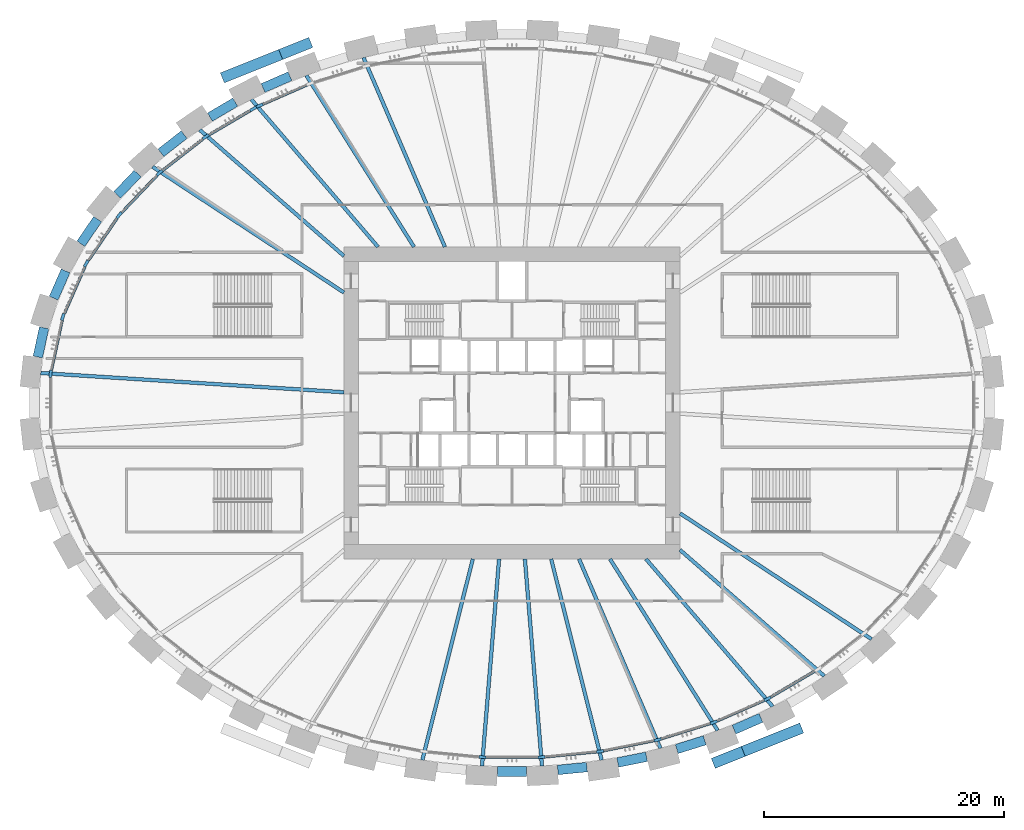
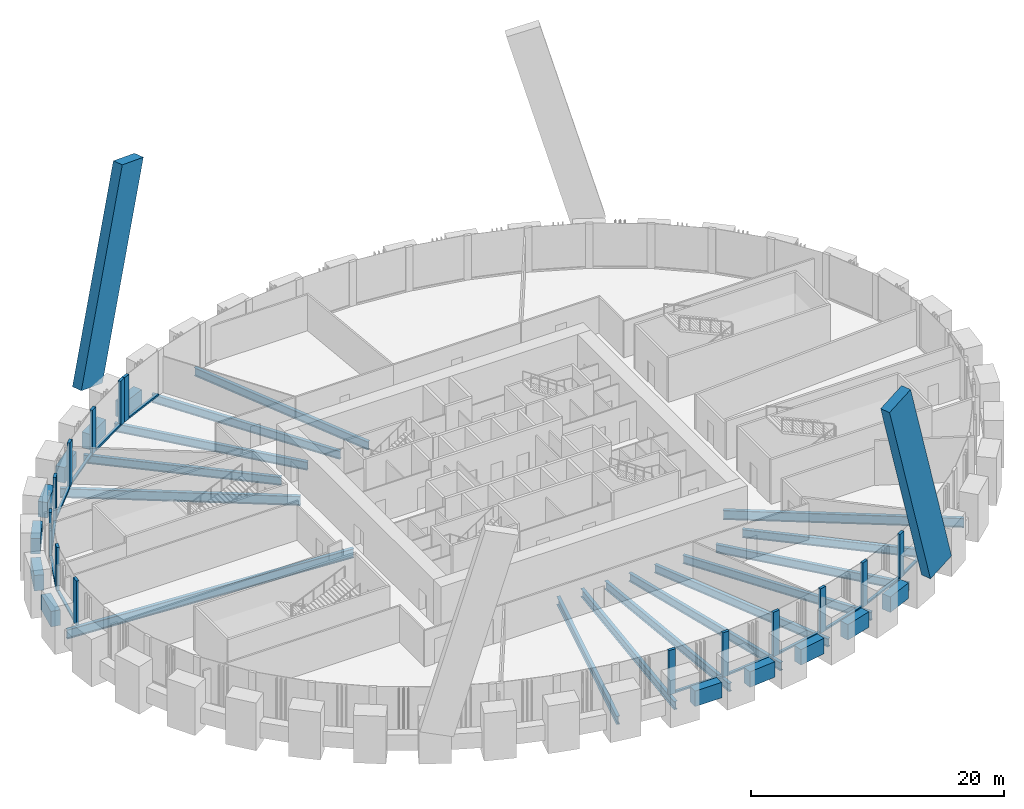
# One storey, part 2 of 21: 29 members, 27 beams, 3 elements without a shape of their own.
"""IFC4 building model written with IfcOpenShell, lengths in metres."""

from ifc_helpers import new_model, si_unit, direction, frame, origin, origin_2d, place, context, subcontext, project, spatial, rectangle, i_section, extrude, source, transform, mapped, material, material_profile, profile_set, type_object, element, aggregate, save


model = new_model("IFC4")

# Units and contexts
model_context = context("Model", 3, precision=1e-05, world=origin(), true_north=direction((0.0, 1.0)))
body_context = subcontext(model_context, "Body", "Model", "MODEL_VIEW")
ifc_project = project(units=[si_unit("LENGTHUNIT", "METRE"), si_unit("AREAUNIT", "SQUARE_METRE"), si_unit("VOLUMEUNIT", "CUBIC_METRE"), si_unit("PLANEANGLEUNIT", "RADIAN"), si_unit("MASSUNIT", "GRAM", prefix="KILO")], contexts=[model_context])

# Site, building, storey
site_placement = place(None, origin())
site = spatial("IfcSite", under=ifc_project, at=site_placement, CompositionType="ELEMENT")
building_placement = place(site_placement, origin())
building = spatial("IfcBuilding", under=site, at=building_placement, Name="Embergate Tower", CompositionType="ELEMENT")
storey_placement = place(building_placement, frame((0.0, 0.0, 33.5)))
storey = spatial("IfcBuildingStorey", under=building, at=storey_placement, Name="L04", CompositionType="ELEMENT", Elevation=33.5)

# Beams
ifc_material_1 = material(Name="Concrete C70", Category="concrete")
ifc_material_profile_1 = material_profile(ifc_material_1, rectangle(XDim=0.800048828125, YDim=1.5, at=origin_2d()), Name="RC 800x1500")
ifc_profile_set_1 = profile_set([ifc_material_profile_1], Name="Concrete C70")
beam_type_1 = type_object("IfcBeamType", Name="Spandrel beam RC 800x1500 C70", PredefinedType="BEAM", material=ifc_profile_set_1)
shared_shape_1 = source(origin(), body_context, "Body", "SweptSolid", [
    extrude(rectangle(XDim=0.800048828125, YDim=1.5, at=origin_2d()), origin(), (0.0, 0.0, 1.0), 2.4833984375),
])
beam_1_placement = place(storey_placement, frame((-38.98193359375, 6.2548828125, 0.0), z_axis=(-0.210180265882, -0.977662649299, 0.0), x_axis=(0.977662649299, -0.210180265882, 0.0)))
element("IfcBeam", 1, at=beam_1_placement, inside=storey, type_object=beam_type_1, Name="SPN-L04-20", PredefinedType="BEAM", context=body_context, shape_type="MappedRepresentation", body=[
    mapped(shared_shape_1, transform((0.0, 0.0, 0.0))),
])
shared_shape_2 = source(origin(), body_context, "Body", "SweptSolid", [
    extrude(rectangle(XDim=0.800048828125, YDim=1.5, at=origin_2d()), origin(), (0.0, 0.0, 1.0), 2.478515625),
])
beam_2_placement = place(storey_placement, frame((-37.18701171875, 10.9990234375, 0.0), z_axis=(-0.40140784331, -0.915899417692, 0.0), x_axis=(0.915899417692, -0.40140784331, 0.0)))
element("IfcBeam", 2, at=beam_2_placement, inside=storey, type_object=beam_type_1, Name="SPN-L04-19", PredefinedType="BEAM", context=body_context, shape_type="MappedRepresentation", body=[
    mapped(shared_shape_2, transform((0.0, 0.0, 0.0))),
])
shared_shape_3 = source(origin(), body_context, "Body", "SweptSolid", [
    extrude(rectangle(XDim=0.800048828125, YDim=1.5, at=origin_2d()), origin(), (0.0, 0.0, 1.0), 2.46875),
])
beam_3_placement = place(storey_placement, frame((-34.52197265625, 15.304931640625, 0.0), z_axis=(-0.562594003895, -0.826733322651, 0.0), x_axis=(0.826733322651, -0.562594003895, 0.0)))
element("IfcBeam", 3, at=beam_3_placement, inside=storey, type_object=beam_type_1, Name="SPN-L04-18", PredefinedType="BEAM", context=body_context, shape_type="MappedRepresentation", body=[
    mapped(shared_shape_3, transform((0.0, 0.0, 0.0))),
])
shared_shape_4 = source(origin(), body_context, "Body", "SweptSolid", [
    extrude(rectangle(XDim=0.800048828125, YDim=1.5, at=origin_2d()), origin(), (0.0, 0.0, 1.0), 2.462890625),
])
beam_4_placement = place(storey_placement, frame((-31.18896484375, 19.110107421875, 0.0), z_axis=(-0.689801191863, -0.723998836811, 0.0), x_axis=(0.723998836811, -0.689801191863, 0.0)))
element("IfcBeam", 4, at=beam_4_placement, inside=storey, type_object=beam_type_1, Name="SPN-L04-17", PredefinedType="BEAM", context=body_context, shape_type="MappedRepresentation", body=[
    mapped(shared_shape_4, transform((0.0, 0.0, 0.0))),
])
shared_shape_5 = source(origin(), body_context, "Body", "SweptSolid", [
    extrude(rectangle(XDim=0.800048828125, YDim=1.5, at=origin_2d()), origin(), (0.0, 0.0, 1.0), 2.45361328125),
])
beam_5_placement = place(storey_placement, frame((-27.31396484375, 22.35009765625, 0.0), z_axis=(-0.788220432828, -0.615393003919, 0.0), x_axis=(0.615393003919, -0.788220432828, 0.0)))
element("IfcBeam", 5, at=beam_5_placement, inside=storey, type_object=beam_type_1, Name="SPN-L04-16", PredefinedType="BEAM", context=body_context, shape_type="MappedRepresentation", body=[
    mapped(shared_shape_5, transform((0.0, 0.0, 0.0))),
])
shared_shape_6 = source(origin(), body_context, "Body", "SweptSolid", [
    extrude(rectangle(XDim=0.800048828125, YDim=1.5, at=origin_2d()), origin(), (0.0, 0.0, 1.0), 2.44873046875),
])
beam_6_placement = place(storey_placement, frame((-23.052978515625, 25.052978515625, 0.0), z_axis=(-0.862085389166, -0.506763043036, 0.0), x_axis=(0.506763043036, -0.862085389166, 0.0)))
element("IfcBeam", 6, at=beam_6_placement, inside=storey, type_object=beam_type_1, Name="SPN-L04-15", PredefinedType="BEAM", context=body_context, shape_type="MappedRepresentation", body=[
    mapped(shared_shape_6, transform((0.0, 0.0, 0.0))),
])
shared_shape_7 = source(origin(), body_context, "Body", "SweptSolid", [
    extrude(rectangle(XDim=0.800048828125, YDim=1.5, at=origin_2d()), origin(), (0.0, 0.0, 1.0), 2.445068359375),
])
for number, where, z_axis, x_axis, name in (
    (7, (-18.4970703125, 27.215087890625, 0.0), (-0.916159626616, -0.400813595775, 0.0), (0.400813595775, -0.916159626616, 0.0), "SPN-L04-14"),
    (8, (18.4970703125, -27.215087890625, 0.0), (0.916159626616, 0.400813595775, 0.0), (-0.400813595775, 0.916159626616, 0.0), "SPN-L04-36"),
):
    element("IfcBeam", number, at=place(storey_placement, frame(where, z_axis=z_axis, x_axis=x_axis)), inside=storey, type_object=beam_type_1, Name=name, PredefinedType="BEAM", context=body_context, shape_type="MappedRepresentation", body=[
        mapped(shared_shape_7, transform((0.0, 0.0, 0.0))),
    ])
shared_shape_8 = source(origin(), body_context, "Body", "SweptSolid", [
    extrude(rectangle(XDim=0.800048828125, YDim=1.5, at=origin_2d()), origin(), (0.0, 0.0, 1.0), 2.441162109375),
])
beam_7_placement = place(storey_placement, frame((13.722900390625, -28.830078125, 0.0), z_axis=(0.954870643943, 0.297021974499, 0.0), x_axis=(-0.297021974499, 0.954870643943, 0.0)))
element("IfcBeam", 9, at=beam_7_placement, inside=storey, type_object=beam_type_1, Name="SPN-L04-35", PredefinedType="BEAM", context=body_context, shape_type="MappedRepresentation", body=[
    mapped(shared_shape_8, transform((0.0, 0.0, 0.0))),
])
shared_shape_9 = source(origin(), body_context, "Body", "SweptSolid", [
    extrude(rectangle(XDim=0.800048828125, YDim=1.5, at=origin_2d()), origin(), (0.0, 0.0, 1.0), 2.438720703125),
])
beam_8_placement = place(storey_placement, frame((8.81298828125, -29.952880859375, 0.0), z_axis=(0.980441821955, 0.19680913028, 0.0), x_axis=(-0.19680913028, 0.980441821955, 0.0)))
element("IfcBeam", 10, at=beam_8_placement, inside=storey, type_object=beam_type_1, Name="SPN-L04-34", PredefinedType="BEAM", context=body_context, shape_type="MappedRepresentation", body=[
    mapped(shared_shape_9, transform((0.0, 0.0, 0.0))),
])
shared_shape_10 = source(origin(), body_context, "Body", "SweptSolid", [
    extrude(rectangle(XDim=0.800048828125, YDim=1.5, at=origin_2d()), origin(), (0.0, 0.0, 1.0), 2.437744140625),
])
beam_9_placement = place(storey_placement, frame((3.81591796875, -30.574951171875, 0.0), z_axis=(0.995181884191, 0.098045996239, 0.0), x_axis=(-0.098045996239, 0.995181884191, 0.0)))
element("IfcBeam", 11, at=beam_9_placement, inside=storey, type_object=beam_type_1, Name="SPN-L04-33", PredefinedType="BEAM", context=body_context, shape_type="MappedRepresentation", body=[
    mapped(shared_shape_10, transform((0.0, 0.0, 0.0))),
])
shared_shape_11 = source(origin(), body_context, "Body", "SweptSolid", [
    extrude(rectangle(XDim=0.800048828125, YDim=1.5, at=origin_2d()), origin(), (0.0, 0.0, 1.0), 2.43798828125),
])
beam_10_placement = place(storey_placement, frame((-1.218994140625, -30.701904296875, 0.0), z_axis=(1.0, 0.0, 0.0), x_axis=(0.0, 1.0, 0.0)))
element("IfcBeam", 12, at=beam_10_placement, inside=storey, type_object=beam_type_1, Name="SPN-L04-32", PredefinedType="BEAM", context=body_context, shape_type="MappedRepresentation", body=[
    mapped(shared_shape_11, transform((0.0, 0.0, 0.0))),
])
ifc_material_2 = material(Name="Steel Q355B", Category="steel")
ifc_material_profile_2 = material_profile(ifc_material_2, i_section(OverallWidth=0.300048828125, OverallDepth=0.89990234375, WebThickness=0.01611328125, FlangeThickness=0.028076171875, FilletRadius=0.028076171875, at=origin_2d()), Name="HN 900x300x16x28")
ifc_profile_set_2 = profile_set([ifc_material_profile_2], Name="Steel Q355 grade B")
beam_type_2 = type_object("IfcBeamType", Name="Radial girder HN 900x300x16x28", PredefinedType="BEAM", material=ifc_profile_set_2)
shared_shape_12 = source(origin(), body_context, "Body", "SweptSolid", [
    extrude(i_section(OverallWidth=0.300048828125, OverallDepth=0.89990234375, WebThickness=0.01611328125, FlangeThickness=0.028076171875, FilletRadius=0.028076171875, at=origin_2d()), origin(), (0.0, 0.0, 1.0), 25.31103515625),
])
beam_11_placement = place(storey_placement, frame((-39.260009765625, 2.493896484375, -0.75), z_axis=(0.997987527614, -0.063410525362, 0.0), x_axis=(0.063410525362, 0.997987527614, 0.0)))
element("IfcBeam", 13, at=beam_11_placement, inside=storey, type_object=beam_type_2, Name="GIR-L04-21", PredefinedType="BEAM", context=body_context, shape_type="MappedRepresentation", body=[
    mapped(shared_shape_12, transform((0.0, 0.0, 0.0))),
])
shared_shape_13 = source(origin(), body_context, "Body", "SweptSolid", [
    extrude(i_section(OverallWidth=0.300048828125, OverallDepth=0.89990234375, WebThickness=0.01611328125, FlangeThickness=0.028076171875, FilletRadius=0.028076171875, at=origin_2d()), origin(), (0.0, 0.0, 1.0), 19.08984375),
])
for number, where, z_axis, x_axis, name in (
    (14, (-29.9541015625, 19.680908203125, -0.75), (0.835734658409, -0.54913348171, 0.0), (0.54913348171, 0.835734658409, 0.0), "GIR-L04-17"),
    (15, (29.9541015625, -19.680908203125, -0.75), (-0.835734658409, 0.54913348171, 0.0), (-0.54913348171, -0.835734658409, 0.0), "GIR-L04-39"),
):
    element("IfcBeam", number, at=place(storey_placement, frame(where, z_axis=z_axis, x_axis=x_axis)), inside=storey, type_object=beam_type_2, Name=name, PredefinedType="BEAM", context=body_context, shape_type="MappedRepresentation", body=[
        mapped(shared_shape_13, transform((0.0, 0.0, 0.0))),
    ])
ifc_material_profile_3 = material_profile(ifc_material_2, i_section(OverallWidth=0.300048828125, OverallDepth=0.800048828125, WebThickness=0.013916015625, FlangeThickness=0.02587890625, FilletRadius=0.028076171875, at=origin_2d()), Name="HN 800x300x14x26")
ifc_profile_set_3 = profile_set([ifc_material_profile_3], Name="Steel Q355 grade B")
beam_type_3 = type_object("IfcBeamType", Name="Radial girder HN 800x300x14x26", PredefinedType="BEAM", material=ifc_profile_set_3)
shared_shape_14 = source(origin(), body_context, "Body", "SweptSolid", [
    extrude(i_section(OverallWidth=0.300048828125, OverallDepth=0.800048828125, WebThickness=0.013916015625, FlangeThickness=0.02587890625, FilletRadius=0.028076171875, at=origin_2d()), origin(), (0.0, 0.0, 1.0), 15.96484375),
])
for number, where, z_axis, x_axis, name in (
    (16, (-26.01806640625, 22.7529296875, -0.699951171875), (0.752786961576, -0.65826422543, 0.0), (0.65826422543, 0.752786961576, 0.0), "GIR-L04-16"),
    (17, (26.01806640625, -22.7529296875, -0.699951171875), (-0.752786961576, 0.65826422543, 0.0), (-0.65826422543, -0.752786961576, 0.0), "GIR-L04-38"),
):
    element("IfcBeam", number, at=place(storey_placement, frame(where, z_axis=z_axis, x_axis=x_axis)), inside=storey, type_object=beam_type_3, Name=name, PredefinedType="BEAM", context=body_context, shape_type="MappedRepresentation", body=[
        mapped(shared_shape_14, transform((0.0, 0.0, 0.0))),
    ])
shared_shape_15 = source(origin(), body_context, "Body", "SweptSolid", [
    extrude(i_section(OverallWidth=0.300048828125, OverallDepth=0.800048828125, WebThickness=0.013916015625, FlangeThickness=0.02587890625, FilletRadius=0.028076171875, at=origin_2d()), origin(), (0.0, 0.0, 1.0), 16.193115234375),
])
for number, where, z_axis, x_axis, name in (
    (18, (-21.712890625, 25.284912109375, -0.699951171875), (0.651498813606, -0.758649652916, 0.0), (0.758649652916, 0.651498813606, 0.0), "GIR-L04-15"),
    (19, (21.712890625, -25.284912109375, -0.699951171875), (-0.651498813606, 0.758649652916, 0.0), (-0.758649652916, -0.651498813606, 0.0), "GIR-L04-37"),
):
    element("IfcBeam", number, at=place(storey_placement, frame(where, z_axis=z_axis, x_axis=x_axis)), inside=storey, type_object=beam_type_3, Name=name, PredefinedType="BEAM", context=body_context, shape_type="MappedRepresentation", body=[
        mapped(shared_shape_15, transform((0.0, 0.0, 0.0))),
    ])
shared_shape_16 = source(origin(), body_context, "Body", "SweptSolid", [
    extrude(i_section(OverallWidth=0.300048828125, OverallDepth=0.800048828125, WebThickness=0.013916015625, FlangeThickness=0.02587890625, FilletRadius=0.028076171875, at=origin_2d()), origin(), (0.0, 0.0, 1.0), 16.86962890625),
])
for number, where, z_axis, x_axis, name in (
    (20, (-17.135986328125, 27.285888671875, -0.699951171875), (0.531841030779, -0.846844211163, 0.0), (0.846844211163, 0.531841030779, 0.0), "GIR-L04-14"),
    (21, (17.135986328125, -27.285888671875, -0.699951171875), (-0.531841030779, 0.846844211163, 0.0), (-0.846844211163, -0.531841030779, 0.0), "GIR-L04-36"),
):
    element("IfcBeam", number, at=place(storey_placement, frame(where, z_axis=z_axis, x_axis=x_axis)), inside=storey, type_object=beam_type_3, Name=name, PredefinedType="BEAM", context=body_context, shape_type="MappedRepresentation", body=[
        mapped(shared_shape_16, transform((0.0, 0.0, 0.0))),
    ])
shared_shape_17 = source(origin(), body_context, "Body", "SweptSolid", [
    extrude(i_section(OverallWidth=0.300048828125, OverallDepth=0.800048828125, WebThickness=0.013916015625, FlangeThickness=0.02587890625, FilletRadius=0.028076171875, at=origin_2d()), origin(), (0.0, 0.0, 1.0), 17.166259765625),
])
for number, where, z_axis, x_axis, name in (
    (22, (-12.366943359375, 28.77099609375, -0.699951171875), (0.394906038648, -0.918721514192, 0.0), (0.918721514192, 0.394906038648, 0.0), "GIR-L04-13"),
    (23, (12.366943359375, -28.77099609375, -0.699951171875), (-0.394906038648, 0.918721514192, 0.0), (-0.918721514192, -0.394906038648, 0.0), "GIR-L04-35"),
):
    element("IfcBeam", number, at=place(storey_placement, frame(where, z_axis=z_axis, x_axis=x_axis)), inside=storey, type_object=beam_type_3, Name=name, PredefinedType="BEAM", context=body_context, shape_type="MappedRepresentation", body=[
        mapped(shared_shape_17, transform((0.0, 0.0, 0.0))),
    ])
shared_shape_18 = source(origin(), body_context, "Body", "SweptSolid", [
    extrude(i_section(OverallWidth=0.300048828125, OverallDepth=0.800048828125, WebThickness=0.013916015625, FlangeThickness=0.02587890625, FilletRadius=0.028076171875, at=origin_2d()), origin(), (0.0, 0.0, 1.0), 17.273681640625),
])
for number, where, z_axis, x_axis, name in (
    (24, (-7.468994140625, -29.75390625, -0.699951171875), (0.243440080988, 0.969915938094, 0.0), (-0.969915938094, 0.243440080988, 0.0), "GIR-L04-31"),
    (25, (7.468994140625, -29.75390625, -0.699951171875), (-0.243440080988, 0.969915938094, 0.0), (-0.969915938094, -0.243440080988, 0.0), "GIR-L04-34"),
):
    element("IfcBeam", number, at=place(storey_placement, frame(where, z_axis=z_axis, x_axis=x_axis)), inside=storey, type_object=beam_type_3, Name=name, PredefinedType="BEAM", context=body_context, shape_type="MappedRepresentation", body=[
        mapped(shared_shape_18, transform((0.0, 0.0, 0.0))),
    ])
shared_shape_19 = source(origin(), body_context, "Body", "SweptSolid", [
    extrude(i_section(OverallWidth=0.300048828125, OverallDepth=0.800048828125, WebThickness=0.013916015625, FlangeThickness=0.02587890625, FilletRadius=0.028076171875, at=origin_2d()), origin(), (0.0, 0.0, 1.0), 17.300537109375),
])
for number, where, z_axis, x_axis, name in (
    (26, (-2.498046875, -30.241943359375, -0.699951171875), (0.082313209185, 0.996606509909, 0.0), (-0.996606509909, 0.082313209185, 0.0), "GIR-L04-32"),
    (27, (2.498046875, -30.241943359375, -0.699951171875), (-0.082313209185, 0.996606509909, 0.0), (-0.996606509909, -0.082313209185, 0.0), "GIR-L04-33"),
):
    element("IfcBeam", number, at=place(storey_placement, frame(where, z_axis=z_axis, x_axis=x_axis)), inside=storey, type_object=beam_type_3, Name=name, PredefinedType="BEAM", context=body_context, shape_type="MappedRepresentation", body=[
        mapped(shared_shape_19, transform((0.0, 0.0, 0.0))),
    ])

# Members
ifc_material_profile_4 = material_profile(ifc_material_1, rectangle(XDim=0.89990234375, YDim=2.800048828125, at=origin_2d()), Name="RC 900x2800")
ifc_profile_set_4 = profile_set([ifc_material_profile_4], Name="Concrete C70")
member_type_1 = type_object("IfcMemberType", Name="Lattice diagonal terracotta-faced RC 900x2800", PredefinedType="BRACE", material=ifc_profile_set_4)
shared_shape_20 = source(origin(), body_context, "Body", "SweptSolid", [
    extrude(rectangle(XDim=0.89990234375, YDim=2.800048828125, at=origin_2d()), origin(), (0.0, 0.0, 1.0), 19.657958984375),
])
for number, where, z_axis, x_axis, name in (
    (28, (-22.881103515625, 27.583984375, 2.339111328125), (0.24748310036, 0.098946046097, 0.963826641569), (-0.371238026102, 0.928537736431, 0.0), "BRP-N-1-01"),
    (29, (22.881103515625, -27.583984375, 2.339111328125), (-0.24748310036, -0.098946046097, 0.963826641569), (0.371238026102, -0.928537736431, 0.0), "BRP-S-1-01"),
):
    element("IfcMember", number, at=place(storey_placement, frame(where, z_axis=z_axis, x_axis=x_axis)), inside=storey, type_object=member_type_1, Name=name, PredefinedType="BRACE", context=body_context, shape_type="MappedRepresentation", body=[
        mapped(shared_shape_20, transform((0.0, 0.0, 0.0))),
    ])

# Curtain wall, member
ifc_material_3 = material(Name="Aluminium and glass", Category="aluminium")
curtain_wall_type = type_object("IfcCurtainWallType", Name="Podium base glazing", PredefinedType="NOTDEFINED", material=ifc_material_3)
curtain_wall_1_placement = place(storey_placement, origin())
curtain_wall_1 = element("IfcCurtainWall", 30, at=curtain_wall_1_placement, inside=storey, type_object=curtain_wall_type, Name="Podium base glazing run 1", ObjectType="PODIUM BASE GLAZING", PredefinedType="USERDEFINED")
ifc_material_4 = material(Name="Aluminium, thermally broken", Category="aluminium")
ifc_material_profile_5 = material_profile(ifc_material_4, rectangle(XDim=0.239990234375, YDim=0.60009765625, at=origin_2d()), Name="AL 600x240")
ifc_profile_set_5 = profile_set([ifc_material_profile_5], Name="Aluminium, thermally broken")
member_type_2 = type_object("IfcMemberType", Name="Base mullion", PredefinedType="MULLION", material=ifc_profile_set_5)
shared_shape_21 = source(origin(), body_context, "Body", "SweptSolid", [
    extrude(rectangle(XDim=0.239990234375, YDim=0.60009765625, at=origin_2d()), origin(), (0.0, 0.0, 1.0), 4.300048828125),
])
member_1_placement = place(storey_placement, frame((-21.025146484375, 24.770751953125, 0.0), z_axis=(0.0, 0.0, 1.0), x_axis=(0.400636896638, -0.916236910986, 0.0)))
member_1 = element("IfcMember", 31, at=member_1_placement, type_object=member_type_2, Name="CW mullion 16", PredefinedType="MULLION", context=body_context, shape_type="MappedRepresentation", body=[
    mapped(shared_shape_21, transform((0.0, 0.0, 0.0))),
])

# Curtain wall, members
curtain_wall_2_placement = place(storey_placement, origin())
curtain_wall_2 = element("IfcCurtainWall", 32, at=curtain_wall_2_placement, inside=storey, type_object=curtain_wall_type, Name="Podium base glazing run 2", ObjectType="PODIUM BASE GLAZING", PredefinedType="USERDEFINED")
member_2_placement = place(storey_placement, frame((-21.55859375, 24.49853515625, 0.0), z_axis=(0.0, 0.0, 1.0), x_axis=(0.506814843614, -0.862054936934, 0.0)))
member_2 = element("IfcMember", 33, at=member_2_placement, type_object=member_type_2, Name="CW mullion 1", PredefinedType="MULLION", context=body_context, shape_type="MappedRepresentation", body=[
    mapped(shared_shape_21, transform((0.0, 0.0, 0.0))),
])
member_3_placement = place(storey_placement, frame((-25.51611328125, 22.171875, 0.0), z_axis=(0.0, 0.0, 1.0), x_axis=(0.56221328843, -0.826992272221, 0.0)))
member_3 = element("IfcMember", 34, at=member_3_placement, type_object=member_type_2, Name="CW mullion 2", PredefinedType="MULLION", context=body_context, shape_type="MappedRepresentation", body=[
    mapped(shared_shape_21, transform((0.0, 0.0, 0.0))),
])
member_4_placement = place(storey_placement, frame((-29.366455078125, 19.166748046875, 0.0), z_axis=(0.0, 0.0, 1.0), x_axis=(0.671222652759, -0.741255792843, 0.0)))
member_4 = element("IfcMember", 35, at=member_4_placement, type_object=member_type_2, Name="CW mullion 3", PredefinedType="MULLION", context=body_context, shape_type="MappedRepresentation", body=[
    mapped(shared_shape_21, transform((0.0, 0.0, 0.0))),
])
member_5_placement = place(storey_placement, frame((-32.731689453125, 15.637939453125, 0.0), z_axis=(0.0, 0.0, 1.0), x_axis=(0.777869273934, -0.628426123477, 0.0)))
member_5 = element("IfcMember", 36, at=member_5_placement, type_object=member_type_2, Name="CW mullion 4", PredefinedType="MULLION", context=body_context, shape_type="MappedRepresentation", body=[
    mapped(shared_shape_21, transform((0.0, 0.0, 0.0))),
])
member_6_placement = place(storey_placement, frame((-35.468505859375, 11.613525390625, 0.0), z_axis=(0.0, 0.0, 1.0), x_axis=(0.874999360976, -0.484124073241, 0.0)))
member_6 = element("IfcMember", 37, at=member_6_placement, type_object=member_type_2, Name="CW mullion 5", PredefinedType="MULLION", context=body_context, shape_type="MappedRepresentation", body=[
    mapped(shared_shape_21, transform((0.0, 0.0, 0.0))),
])
member_7_placement = place(storey_placement, frame((-37.419677734375, 7.1650390625, 0.0), z_axis=(0.0, 0.0, 1.0), x_axis=(0.951496724066, -0.307658876178, 0.0)))
member_7 = element("IfcMember", 38, at=member_7_placement, type_object=member_type_2, Name="CW mullion 6", PredefinedType="MULLION", context=body_context, shape_type="MappedRepresentation", body=[
    mapped(shared_shape_21, transform((0.0, 0.0, 0.0))),
])
member_8_placement = place(storey_placement, frame((-38.440185546875, 2.423583984375, 0.0), z_axis=(0.0, 0.0, 1.0), x_axis=(0.994384770038, -0.105824992874, 0.0)))
member_8 = element("IfcMember", 39, at=member_8_placement, type_object=member_type_2, Name="CW mullion 7", PredefinedType="MULLION", context=body_context, shape_type="MappedRepresentation", body=[
    mapped(shared_shape_21, transform((0.0, 0.0, 0.0))),
])

curtain_wall_3_placement = place(storey_placement, origin())
curtain_wall_3 = element("IfcCurtainWall", 40, at=curtain_wall_3_placement, inside=storey, type_object=curtain_wall_type, Name="Podium base glazing run 3", ObjectType="PODIUM BASE GLAZING", PredefinedType="USERDEFINED")
member_9_placement = place(storey_placement, frame((-2.45166015625, -29.51220703125, 0.0), z_axis=(0.0, 0.0, 1.0), x_axis=(0.048970053385, 0.998800247232, 0.0)))
member_9 = element("IfcMember", 41, at=member_9_placement, type_object=member_type_2, Name="CW mullion 4", PredefinedType="MULLION", context=body_context, shape_type="MappedRepresentation", body=[
    mapped(shared_shape_21, transform((0.0, 0.0, 0.0))),
])
member_10_placement = place(storey_placement, frame((2.45166015625, -29.51220703125, 0.0), z_axis=(0.0, 0.0, 1.0), x_axis=(-0.048970053385, 0.998800247232, 0.0)))
member_10 = element("IfcMember", 42, at=member_10_placement, type_object=member_type_2, Name="CW mullion 5", PredefinedType="MULLION", context=body_context, shape_type="MappedRepresentation", body=[
    mapped(shared_shape_21, transform((0.0, 0.0, 0.0))),
])
member_11_placement = place(storey_placement, frame((7.3310546875, -29.032470703125, 0.0), z_axis=(0.0, 0.0, 1.0), x_axis=(-0.147410656556, 0.989075375456, 0.0)))
member_11 = element("IfcMember", 43, at=member_11_placement, type_object=member_type_2, Name="CW mullion 6", PredefinedType="MULLION", context=body_context, shape_type="MappedRepresentation", body=[
    mapped(shared_shape_21, transform((0.0, 0.0, 0.0))),
])
member_12_placement = place(storey_placement, frame((12.13671875, -28.068603515625, 0.0), z_axis=(0.0, 0.0, 1.0), x_axis=(-0.247310190257, 0.968936360034, 0.0)))
member_12 = element("IfcMember", 44, at=member_12_placement, type_object=member_type_2, Name="CW mullion 7", PredefinedType="MULLION", context=body_context, shape_type="MappedRepresentation", body=[
    mapped(shared_shape_21, transform((0.0, 0.0, 0.0))),
])
member_13_placement = place(storey_placement, frame((16.814453125, -26.612060546875, 0.0), z_axis=(0.0, 0.0, 1.0), x_axis=(-0.349499412327, 0.936936583117, 0.0)))
member_13 = element("IfcMember", 45, at=member_13_placement, type_object=member_type_2, Name="CW mullion 8", PredefinedType="MULLION", context=body_context, shape_type="MappedRepresentation", body=[
    mapped(shared_shape_21, transform((0.0, 0.0, 0.0))),
])
member_14_placement = place(storey_placement, frame((21.2998046875, -24.650634765625, 0.0), z_axis=(0.0, 0.0, 1.0), x_axis=(-0.454506716612, 0.890743310138, 0.0)))
member_14 = element("IfcMember", 46, at=member_14_placement, type_object=member_type_2, Name="CW mullion 9", PredefinedType="MULLION", context=body_context, shape_type="MappedRepresentation", body=[
    mapped(shared_shape_21, transform((0.0, 0.0, 0.0))),
])

# Member
ifc_material_profile_6 = material_profile(ifc_material_4, rectangle(XDim=0.239990234375, YDim=0.159912109375, at=origin_2d()), Name="AL 160x240")
ifc_profile_set_6 = profile_set([ifc_material_profile_6], Name="Aluminium, thermally broken")
member_type_3 = type_object("IfcMemberType", Name="Base transom", PredefinedType="USERDEFINED", material=ifc_profile_set_6)
shared_shape_22 = source(origin(), body_context, "Body", "SweptSolid", [
    extrude(rectangle(XDim=0.239990234375, YDim=0.159912109375, at=origin_2d()), origin(), (0.0, 0.0, 1.0), 4.257568359375),
])
member_15_placement = place(storey_placement, frame((-35.589111328125, 11.338623046875, 0.080078125), z_axis=(-0.401691025136, -0.915775256449, 0.0), x_axis=(0.915775256449, -0.401691025136, 0.0)))
member_15 = element("IfcMember", 47, at=member_15_placement, type_object=member_type_3, Name="CW transom 5.1", ObjectType="TRANSOM", PredefinedType="USERDEFINED", context=body_context, shape_type="MappedRepresentation", body=[
    mapped(shared_shape_22, transform((0.0, 0.0, 0.0))),
])

shared_shape_23 = source(origin(), body_context, "Body", "SweptSolid", [
    extrude(rectangle(XDim=0.239990234375, YDim=0.159912109375, at=origin_2d()), origin(), (0.0, 0.0, 1.0), 4.266845703125),
])
member_16_placement = place(storey_placement, frame((-32.900390625, 15.389892578125, 0.080078125), z_axis=(-0.562335061696, -0.826909474118, 0.0), x_axis=(0.826909474118, -0.562335061696, 0.0)))
member_16 = element("IfcMember", 48, at=member_16_placement, type_object=member_type_3, Name="CW transom 4.1", ObjectType="TRANSOM", PredefinedType="USERDEFINED", context=body_context, shape_type="MappedRepresentation", body=[
    mapped(shared_shape_23, transform((0.0, 0.0, 0.0))),
])

shared_shape_24 = source(origin(), body_context, "Body", "SweptSolid", [
    extrude(rectangle(XDim=0.239990234375, YDim=0.159912109375, at=origin_2d()), origin(), (0.0, 0.0, 1.0), 4.2763671875),
])
member_17_placement = place(storey_placement, frame((-29.573486328125, 18.94970703125, 0.080078125), z_axis=(-0.690122622662, -0.723692452421, 0.0), x_axis=(0.723692452421, -0.690122622662, 0.0)))
member_17 = element("IfcMember", 49, at=member_17_placement, type_object=member_type_3, Name="CW transom 3.1", ObjectType="TRANSOM", PredefinedType="USERDEFINED", context=body_context, shape_type="MappedRepresentation", body=[
    mapped(shared_shape_24, transform((0.0, 0.0, 0.0))),
])

shared_shape_25 = source(origin(), body_context, "Body", "SweptSolid", [
    extrude(rectangle(XDim=0.239990234375, YDim=0.159912109375, at=origin_2d()), origin(), (0.0, 0.0, 1.0), 4.284423828125),
])
member_18_placement = place(storey_placement, frame((-25.75244140625, 21.9873046875, 0.080078125), z_axis=(-0.788323198783, -0.615261354435, 0.0), x_axis=(0.615261354435, -0.788323198783, 0.0)))
member_18 = element("IfcMember", 50, at=member_18_placement, type_object=member_type_3, Name="CW transom 2.1", ObjectType="TRANSOM", PredefinedType="USERDEFINED", context=body_context, shape_type="MappedRepresentation", body=[
    mapped(shared_shape_25, transform((0.0, 0.0, 0.0))),
])

shared_shape_26 = source(origin(), body_context, "Body", "SweptSolid", [
    extrude(rectangle(XDim=0.239990234375, YDim=0.159912109375, at=origin_2d()), origin(), (0.0, 0.0, 1.0), 4.29052734375),
])
member_19_placement = place(storey_placement, frame((21.55859375, -24.49853515625, 0.080078125), z_axis=(0.862052674772, 0.506818691366, 0.0), x_axis=(-0.506818691366, 0.862052674772, 0.0)))
member_19 = element("IfcMember", 51, at=member_19_placement, type_object=member_type_3, Name="CW transom 9.1", ObjectType="TRANSOM", PredefinedType="USERDEFINED", context=body_context, shape_type="MappedRepresentation", body=[
    mapped(shared_shape_26, transform((0.0, 0.0, 0.0))),
])

shared_shape_27 = source(origin(), body_context, "Body", "SweptSolid", [
    extrude(rectangle(XDim=0.239990234375, YDim=0.159912109375, at=origin_2d()), origin(), (0.0, 0.0, 1.0), 4.295654296875),
])
member_20_placement = place(storey_placement, frame((17.08935546875, -26.49169921875, 0.080078125), z_axis=(0.916239493687, 0.400630990075, 0.0), x_axis=(-0.400630990075, 0.916239493687, 0.0)))
member_20 = element("IfcMember", 52, at=member_20_placement, type_object=member_type_3, Name="CW transom 8.1", ObjectType="TRANSOM", PredefinedType="USERDEFINED", context=body_context, shape_type="MappedRepresentation", body=[
    mapped(shared_shape_27, transform((0.0, 0.0, 0.0))),
])

shared_shape_28 = source(origin(), body_context, "Body", "SweptSolid", [
    extrude(rectangle(XDim=0.239990234375, YDim=0.159912109375, at=origin_2d()), origin(), (0.0, 0.0, 1.0), 4.299072265625),
])
member_21_placement = place(storey_placement, frame((12.42333984375, -27.9794921875, 0.080078125), z_axis=(0.954771542735, 0.297340379335, 0.0), x_axis=(-0.297340379335, 0.954771542735, 0.0)))
member_21 = element("IfcMember", 53, at=member_21_placement, type_object=member_type_3, Name="CW transom 7.1", ObjectType="TRANSOM", PredefinedType="USERDEFINED", context=body_context, shape_type="MappedRepresentation", body=[
    mapped(shared_shape_28, transform((0.0, 0.0, 0.0))),
])

shared_shape_29 = source(origin(), body_context, "Body", "SweptSolid", [
    extrude(rectangle(XDim=0.239990234375, YDim=0.159912109375, at=origin_2d()), origin(), (0.0, 0.0, 1.0), 4.301513671875),
])
member_22_placement = place(storey_placement, frame((7.625244140625, -28.973388671875, 0.080078125), z_axis=(0.980482318894, 0.196607279459, 0.0), x_axis=(-0.196607279459, 0.980482318894, 0.0)))
member_22 = element("IfcMember", 54, at=member_22_placement, type_object=member_type_3, Name="CW transom 6.1", ObjectType="TRANSOM", PredefinedType="USERDEFINED", context=body_context, shape_type="MappedRepresentation", body=[
    mapped(shared_shape_29, transform((0.0, 0.0, 0.0))),
])

shared_shape_30 = source(origin(), body_context, "Body", "SweptSolid", [
    extrude(rectangle(XDim=0.239990234375, YDim=0.159912109375, at=origin_2d()), origin(), (0.0, 0.0, 1.0), 4.302978515625),
])
member_23_placement = place(storey_placement, frame((2.750244140625, -29.48291015625, 0.080078125), z_axis=(0.995204295035, 0.097818255681, 0.0), x_axis=(-0.097818255681, 0.995204295035, 0.0)))
member_23 = element("IfcMember", 55, at=member_23_placement, type_object=member_type_3, Name="CW transom 5.1", ObjectType="TRANSOM", PredefinedType="USERDEFINED", context=body_context, shape_type="MappedRepresentation", body=[
    mapped(shared_shape_30, transform((0.0, 0.0, 0.0))),
])

shared_shape_31 = source(origin(), body_context, "Body", "SweptSolid", [
    extrude(rectangle(XDim=0.239990234375, YDim=0.159912109375, at=origin_2d()), origin(), (0.0, 0.0, 1.0), 4.30322265625),
])
member_24_placement = place(storey_placement, frame((-2.151611328125, -29.51220703125, 0.080078125), z_axis=(1.0, 0.0, 0.0), x_axis=(0.0, 1.0, 0.0)))
member_24 = element("IfcMember", 56, at=member_24_placement, type_object=member_type_3, Name="CW transom 4.1", ObjectType="TRANSOM", PredefinedType="USERDEFINED", context=body_context, shape_type="MappedRepresentation", body=[
    mapped(shared_shape_31, transform((0.0, 0.0, 0.0))),
])

aggregate(curtain_wall_3, [member_9, member_10, member_11, member_12, member_13, member_14, member_24, member_23, member_22, member_21, member_20, member_19])

shared_shape_32 = source(origin(), body_context, "Body", "SweptSolid", [
    extrude(rectangle(XDim=0.239990234375, YDim=0.159912109375, at=origin_2d()), origin(), (0.0, 0.0, 1.0), 3.99560546875),
])
member_25_placement = place(storey_placement, frame((-17.08935546875, 26.49169921875, 0.080078125), z_axis=(-0.916254072856, -0.400597645992, 0.0), x_axis=(0.400597645992, -0.916254072856, 0.0)))
member_25 = element("IfcMember", 57, at=member_25_placement, type_object=member_type_3, Name="CW transom 15.1", ObjectType="TRANSOM", PredefinedType="USERDEFINED", context=body_context, shape_type="MappedRepresentation", body=[
    mapped(shared_shape_32, transform((0.0, 0.0, 0.0))),
])

aggregate(curtain_wall_1, [member_1, member_25])

shared_shape_33 = source(origin(), body_context, "Body", "SweptSolid", [
    extrude(rectangle(XDim=0.239990234375, YDim=0.159912109375, at=origin_2d()), origin(), (0.0, 0.0, 1.0), 3.99072265625),
])
member_26_placement = place(storey_placement, frame((-21.817138671875, 24.346435546875, 0.080078125), z_axis=(-0.862063149204, -0.506800874885, 0.0), x_axis=(0.506800874885, -0.862063149204, 0.0)))
member_26 = element("IfcMember", 58, at=member_26_placement, type_object=member_type_3, Name="CW transom 1.1", ObjectType="TRANSOM", PredefinedType="USERDEFINED", context=body_context, shape_type="MappedRepresentation", body=[
    mapped(shared_shape_33, transform((0.0, 0.0, 0.0))),
])

shared_shape_34 = source(origin(), body_context, "Body", "SweptSolid", [
    extrude(rectangle(XDim=0.239990234375, YDim=0.159912109375, at=origin_2d()), origin(), (0.0, 0.0, 1.0), 4.25),
])
member_27_placement = place(storey_placement, frame((-37.48291015625, 6.87158203125, 0.080078125), z_axis=(-0.210368569025, -0.977622148463, 0.0), x_axis=(0.977622148463, -0.210368569025, 0.0)))
member_27 = element("IfcMember", 59, at=member_27_placement, type_object=member_type_3, Name="CW transom 6.1", ObjectType="TRANSOM", PredefinedType="USERDEFINED", context=body_context, shape_type="MappedRepresentation", body=[
    mapped(shared_shape_34, transform((0.0, 0.0, 0.0))),
])

aggregate(curtain_wall_2, [member_2, member_3, member_4, member_5, member_6, member_7, member_8, member_26, member_18, member_17, member_16, member_15, member_27])

save(model, "model.ifc")
